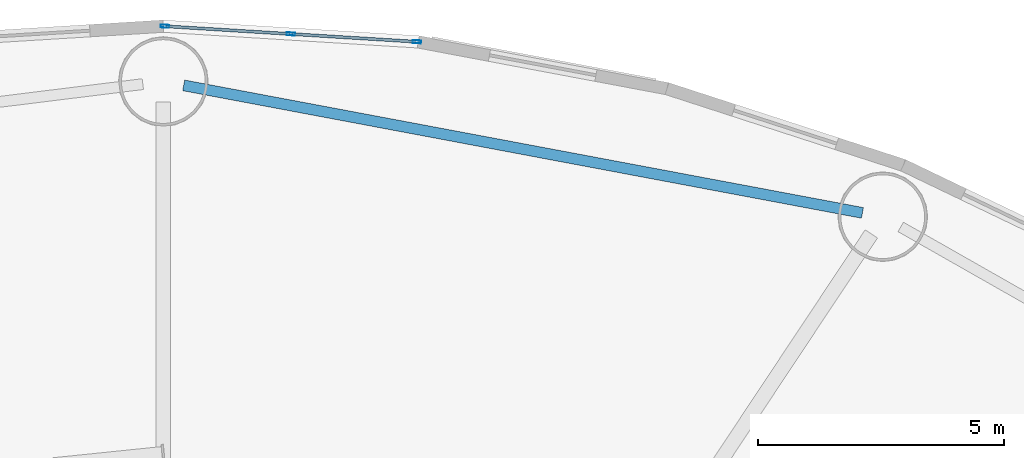
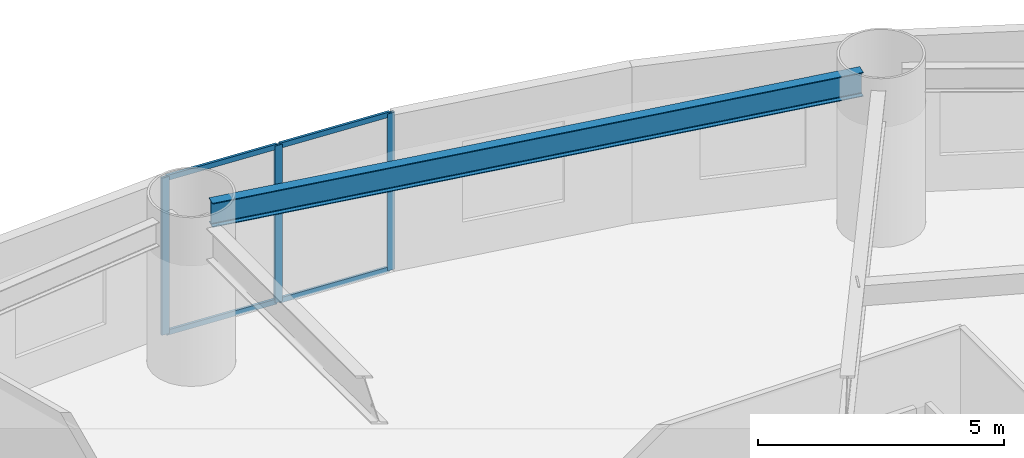
# One storey, part 10 of 31: 7 members, 1 beam, 1 element without a shape of its own.
"""IFC4 building model written with IfcOpenShell, lengths in metres."""

from ifc_helpers import new_model, si_unit, direction, frame, origin, origin_2d, place, context, subcontext, project, spatial, hollow_rectangle, i_section, extrude, source, transform, mapped, material, layer, layer_set, material_profile, profile_set, type_object, element, aggregate, save


model = new_model("IFC4")

# Units and contexts
model_context = context("Model", 3, precision=1e-05, world=origin(), true_north=direction((0.0, 1.0)))
body_context = subcontext(model_context, "Body", "Model", "MODEL_VIEW")
ifc_project = project(units=[si_unit("LENGTHUNIT", "METRE"), si_unit("AREAUNIT", "SQUARE_METRE"), si_unit("VOLUMEUNIT", "CUBIC_METRE"), si_unit("PLANEANGLEUNIT", "RADIAN"), si_unit("MASSUNIT", "GRAM", prefix="KILO")], contexts=[model_context])

# Site, building, storey
site_placement = place(None, origin())
site = spatial("IfcSite", under=ifc_project, at=site_placement, CompositionType="ELEMENT")
building_placement = place(site_placement, origin())
building = spatial("IfcBuilding", under=site, at=building_placement, Name="Linh Dai School and Residence Tower", CompositionType="ELEMENT")
storey_placement = place(building_placement, frame((0.0, 0.0, 6.0)))
storey = spatial("IfcBuildingStorey", under=building, at=storey_placement, Name="L01", CompositionType="ELEMENT", Elevation=6.0)

# Beam
ifc_material_1 = material(Name="Structural Steel S355JR", Category="steel")
ifc_material_profile_1 = material_profile(ifc_material_1, i_section(OverallWidth=0.219970703125, OverallDepth=0.60009765625, WebThickness=0.011962890625, FlangeThickness=0.01904296875, FilletRadius=0.02392578125, at=origin_2d()), Name="IPE 600")
ifc_profile_set_1 = profile_set([ifc_material_profile_1], Name="Structural Steel S355JR")
beam_type = type_object("IfcBeamType", Name="BM-RB60", PredefinedType="BEAM", material=ifc_profile_set_1)
beam_placement = place(storey_placement, frame((50.196533203125, 49.082763671875, 3.60009765625), z_axis=(-0.98280551354, 0.184643772045, 0.0), x_axis=(-0.184643772045, -0.98280551354, 0.0)))
element("IfcBeam", 1, at=beam_placement, inside=storey, type_object=beam_type, Name="L01 Perimeter Elliptical Ring Beam 04", PredefinedType="BEAM", context=body_context, shape_type="SweptSolid", body=[
    extrude(i_section(OverallWidth=0.219970703125, OverallDepth=0.60009765625, WebThickness=0.011962890625, FlangeThickness=0.01904296875, FilletRadius=0.02392578125, at=origin_2d()), origin(), (0.0, 0.0, 1.0), 14.02490234375),
])

# Curtain wall, members
ifc_material_2 = material(Name="Aluminium Anodised Curtain Wall", Category="aluminium")
ifc_layer = layer(ifc_material_2, 0.169921875)
ifc_layer_set = layer_set([ifc_layer], Name="Aluminium Anodised Curtain Wall")
curtain_wall_type = type_object("IfcCurtainWallType", Name="CW-SYS-2", PredefinedType="USERDEFINED", material=ifc_layer_set)
curtain_wall_placement = place(storey_placement, origin())
curtain_wall = element("IfcCurtainWall", 2, at=curtain_wall_placement, inside=storey, type_object=curtain_wall_type, Name="L01 CW2 Curtain Wall 10", ObjectType="UNITISED CURTAIN WALL", PredefinedType="USERDEFINED")
ifc_material_3 = material(Name="Aluminium Alloy 6063-T6", Category="aluminium")
ifc_material_profile_2 = material_profile(ifc_material_3, hollow_rectangle(XDim=0.06005859375, YDim=0.169921875, WallThickness=0.00390625, at=origin_2d()), Name="RHS 170x60x4")
ifc_profile_set_2 = profile_set([ifc_material_profile_2], Name="Aluminium Alloy 6063-T6")
member_type_1 = type_object("IfcMemberType", Name="CW-SYS-2-MUL", PredefinedType="MULLION", material=ifc_profile_set_2)
shared_shape_1 = source(origin(), body_context, "Body", "SweptSolid", [
    extrude(hollow_rectangle(XDim=0.06005859375, YDim=0.169921875, WallThickness=0.00390625, at=origin_2d()), origin(), (0.0, 0.0, 1.0), 3.89990234375),
])
member_1_placement = place(storey_placement, frame((36.030029296875, 52.873046875, 0.0), z_axis=(0.0, 0.0, 1.0), x_axis=(0.061516182598, 0.998106086185, 0.0)))
member_1 = element("IfcMember", 3, at=member_1_placement, type_object=member_type_1, Name="CW2 mullion 1", PredefinedType="MULLION", context=body_context, shape_type="MappedRepresentation", body=[
    mapped(shared_shape_1, transform((0.0, 0.0, 0.0), x_axis=(1.0, 0.0, 0.0), y_axis=(0.0, 1.0, 0.0), z_axis=(0.0, 0.0, 1.0), scale=1.0)),
])
member_2_placement = place(storey_placement, frame((38.589111328125, 52.71533203125, 0.0), z_axis=(0.0, 0.0, 1.0), x_axis=(0.061516182598, 0.998106086185, 0.0)))
member_2 = element("IfcMember", 4, at=member_2_placement, type_object=member_type_1, Name="CW2 mullion 2", PredefinedType="MULLION", context=body_context, shape_type="MappedRepresentation", body=[
    mapped(shared_shape_1, transform((0.0, 0.0, 0.0), x_axis=(1.0, 0.0, 0.0), y_axis=(0.0, 1.0, 0.0), z_axis=(0.0, 0.0, 1.0), scale=1.0)),
])
member_3_placement = place(storey_placement, frame((41.148193359375, 52.5576171875, 0.0), z_axis=(0.0, 0.0, 1.0), x_axis=(0.061516182598, 0.998106086185, 0.0)))
member_3 = element("IfcMember", 5, at=member_3_placement, type_object=member_type_1, Name="CW2 mullion 3", PredefinedType="MULLION", context=body_context, shape_type="MappedRepresentation", body=[
    mapped(shared_shape_1, transform((0.0, 0.0, 0.0), x_axis=(1.0, 0.0, 0.0), y_axis=(0.0, 1.0, 0.0), z_axis=(0.0, 0.0, 1.0), scale=1.0)),
])
ifc_material_profile_3 = material_profile(ifc_material_3, hollow_rectangle(XDim=0.06005859375, YDim=0.1298828125, WallThickness=0.00390625, at=origin_2d()), Name="RHS 130x60x4")
ifc_profile_set_3 = profile_set([ifc_material_profile_3], Name="Aluminium Alloy 6063-T6")
member_type_2 = type_object("IfcMemberType", Name="CW-SYS-2-TRN", PredefinedType="USERDEFINED", material=ifc_profile_set_3)
shared_shape_2 = source(origin(), body_context, "Body", "SweptSolid", [
    extrude(hollow_rectangle(XDim=0.06005859375, YDim=0.1298828125, WallThickness=0.00390625, at=origin_2d()), origin(), (0.0, 0.0, 1.0), 2.50390625),
])
member_4_placement = place(storey_placement, frame((36.059814453125, 52.871337890625, 0.030029296875), z_axis=(0.99810570363, -0.061522389273, 0.0), x_axis=(0.061522389273, 0.99810570363, 0.0)))
member_4 = element("IfcMember", 6, at=member_4_placement, type_object=member_type_2, Name="CW2 transom 1.1", ObjectType="TRANSOM", PredefinedType="USERDEFINED", context=body_context, shape_type="MappedRepresentation", body=[
    mapped(shared_shape_2, transform((0.0, 0.0, 0.0), x_axis=(1.0, 0.0, 0.0), y_axis=(0.0, 1.0, 0.0), z_axis=(0.0, 0.0, 1.0), scale=1.0)),
])
member_5_placement = place(storey_placement, frame((36.059814453125, 52.871337890625, 3.8701171875), z_axis=(0.99810570363, -0.061522389273, 0.0), x_axis=(0.061522389273, 0.99810570363, 0.0)))
member_5 = element("IfcMember", 7, at=member_5_placement, type_object=member_type_2, Name="CW2 transom 1.2", ObjectType="TRANSOM", PredefinedType="USERDEFINED", context=body_context, shape_type="MappedRepresentation", body=[
    mapped(shared_shape_2, transform((0.0, 0.0, 0.0), x_axis=(1.0, 0.0, 0.0), y_axis=(0.0, 1.0, 0.0), z_axis=(0.0, 0.0, 1.0), scale=1.0)),
])
member_6_placement = place(storey_placement, frame((38.619140625, 52.713623046875, 0.030029296875), z_axis=(0.99810570363, -0.061522389273, 0.0), x_axis=(0.061522389273, 0.99810570363, 0.0)))
member_6 = element("IfcMember", 8, at=member_6_placement, type_object=member_type_2, Name="CW2 transom 2.1", ObjectType="TRANSOM", PredefinedType="USERDEFINED", context=body_context, shape_type="MappedRepresentation", body=[
    mapped(shared_shape_2, transform((0.0, 0.0, 0.0), x_axis=(1.0, 0.0, 0.0), y_axis=(0.0, 1.0, 0.0), z_axis=(0.0, 0.0, 1.0), scale=1.0)),
])
member_7_placement = place(storey_placement, frame((38.619140625, 52.713623046875, 3.8701171875), z_axis=(0.99810570363, -0.061522389273, 0.0), x_axis=(0.061522389273, 0.99810570363, 0.0)))
member_7 = element("IfcMember", 9, at=member_7_placement, type_object=member_type_2, Name="CW2 transom 2.2", ObjectType="TRANSOM", PredefinedType="USERDEFINED", context=body_context, shape_type="MappedRepresentation", body=[
    mapped(shared_shape_2, transform((0.0, 0.0, 0.0), x_axis=(1.0, 0.0, 0.0), y_axis=(0.0, 1.0, 0.0), z_axis=(0.0, 0.0, 1.0), scale=1.0)),
])
aggregate(curtain_wall, [member_1, member_2, member_3, member_4, member_5, member_6, member_7])

save(model, "model.ifc")
